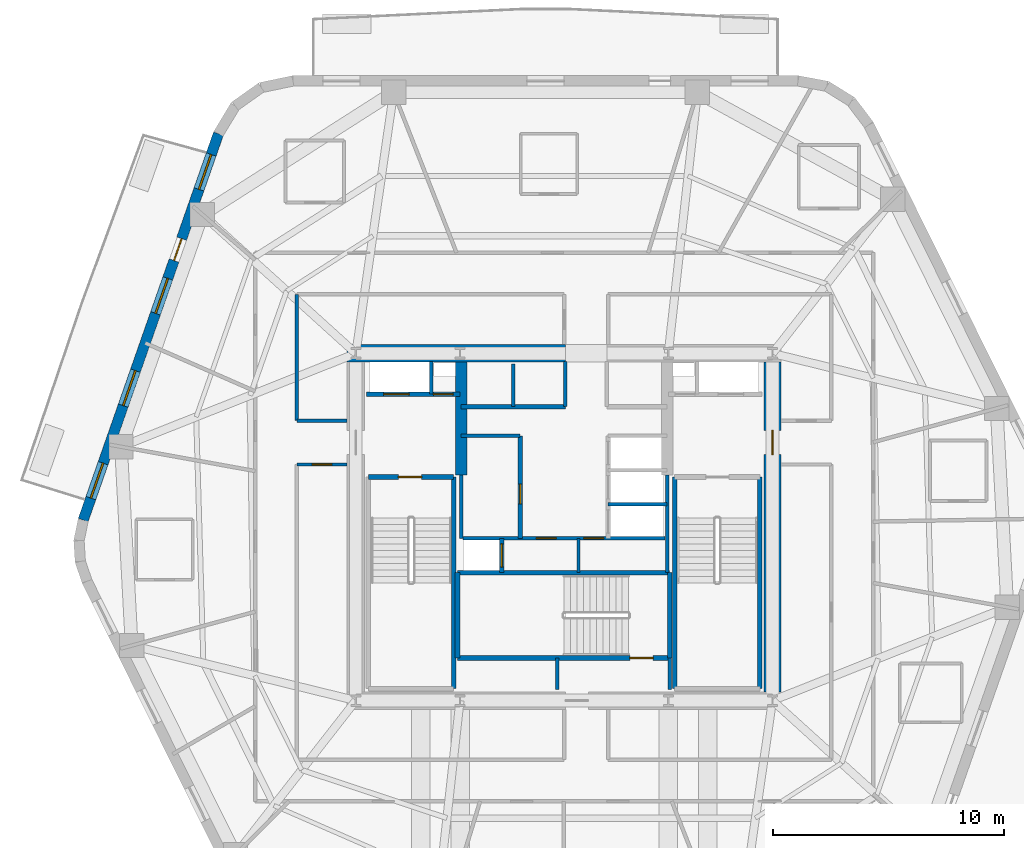
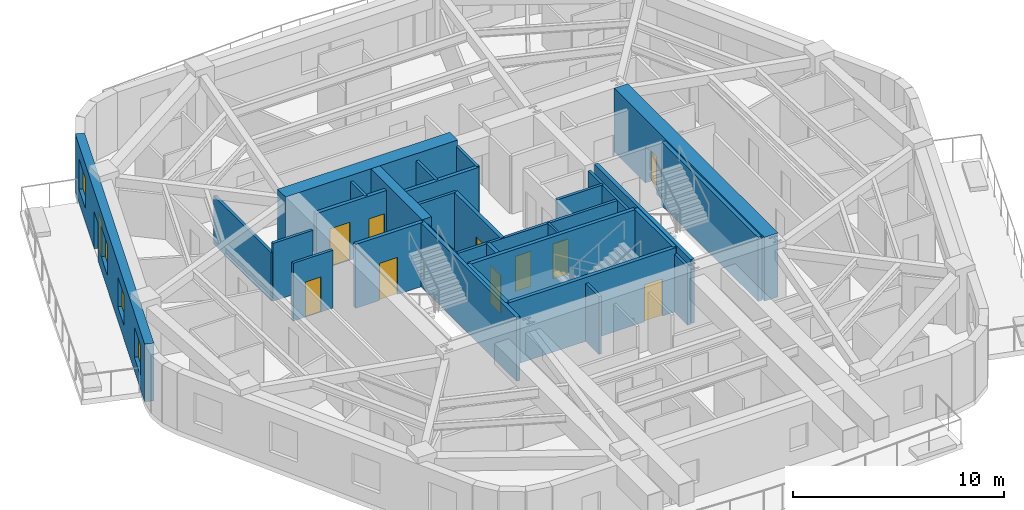
# One storey, part 4 of 11: 30 walls, 11 doors, 4 windows, 15 openings.
"""IFC4 building model written with IfcOpenShell, lengths in metres."""

from ifc_helpers import new_model, si_unit, direction, frame, frame_2d, origin, place, context, subcontext, project, spatial, rectangle, extrude, material, layer, layer_set, type_object, element, fill, save


model = new_model("IFC4")

# Units and contexts
model_context = context("Model", 3, precision=1e-05, world=origin(), true_north=direction((0.0, 1.0)))
body_context = subcontext(model_context, "Body", "Model", "MODEL_VIEW")
ifc_project = project(units=[si_unit("LENGTHUNIT", "METRE"), si_unit("AREAUNIT", "SQUARE_METRE"), si_unit("VOLUMEUNIT", "CUBIC_METRE"), si_unit("PLANEANGLEUNIT", "RADIAN"), si_unit("MASSUNIT", "GRAM", prefix="KILO")], contexts=[model_context])

# Site, building, storey
site_placement = place(None, origin())
site = spatial("IfcSite", under=ifc_project, at=site_placement, CompositionType="ELEMENT")
building_placement = place(site_placement, origin())
building = spatial("IfcBuilding", under=site, at=building_placement, Name="Kilnhurst Terrace Hotel", CompositionType="ELEMENT")
storey_placement = place(building_placement, frame((0.0, 0.0, 197.800048828125)))
storey = spatial("IfcBuildingStorey", under=building, at=storey_placement, Name="L49", CompositionType="ELEMENT", Elevation=197.800048828125)

# Wall, openings, door, windows
ifc_material_1 = material(Name="Precast concrete C40/50", Category="concrete")
ifc_layer_1 = layer(ifc_material_1, 0.449951171875, Name="Precast concrete C40/50")
ifc_layer_set_1 = layer_set([ifc_layer_1], Name="Precast concrete C40/50")
wall_type_1 = type_object("IfcWallType", Name="WL-BRK-450", PredefinedType="SOLIDWALL", material=ifc_layer_set_1)
wall_1_placement = place(storey_placement, frame((-14.936767578125, 16.993408203125, 0.0), z_axis=(0.0, 0.0, 1.0), x_axis=(-0.330431575061, -0.943829949834, 0.0)))
wall_1 = element("IfcWall", 1, at=wall_1_placement, inside=storey, type_object=wall_type_1, Name="L49 Exterior Brick Facade Wall F5", PredefinedType="SOLIDWALL", context=body_context, shape_type="SweptSolid", body=[
    extrude(rectangle(XDim=17.68896484375, YDim=0.449951171875, at=frame_2d((8.844482421875, 0.0))), origin(), (0.0, 0.0, 1.0), 3.349853515625),
])
opening_1_placement = place(wall_1_placement, frame((4.806884765625, 0.0, 0.0)))
opening_1 = element("IfcOpeningElement", 2, at=opening_1_placement, cuts=wall_1, Name="Opening BD-1000", PredefinedType="OPENING", context=body_context, shape_type="SweptSolid", body=[
    extrude(rectangle(XDim=1.0, YDim=2.14990234375, at=frame_2d((0.5, 1.074951171875))), frame((0.0, 0.23486328125, 0.0), z_axis=(0.0, -1.0, 0.0), x_axis=(1.0, 0.0, 0.0)), (0.0, 0.0, 1.0), 0.469970703125),
])
opening_2_placement = place(wall_1_placement, frame((0.949951171875, 0.0, 0.800048828125)))
opening_2 = element("IfcOpeningElement", 3, at=opening_2_placement, cuts=wall_1, Name="Opening W-05", PredefinedType="OPENING", context=body_context, shape_type="SweptSolid", body=[
    extrude(rectangle(XDim=1.60009765625, YDim=1.75, at=frame_2d((0.800048828125, 0.875))), frame((0.0, 0.23486328125, 0.0), z_axis=(0.0, -1.0, 0.0), x_axis=(1.0, 0.0, 0.0)), (0.0, 0.0, 1.0), 0.469970703125),
])
opening_3_placement = place(wall_1_placement, frame((6.623046875, 0.0, 0.800048828125)))
opening_3 = element("IfcOpeningElement", 4, at=opening_3_placement, cuts=wall_1, Name="Opening W-05", PredefinedType="OPENING", context=body_context, shape_type="SweptSolid", body=[
    extrude(rectangle(XDim=1.60009765625, YDim=1.75, at=frame_2d((0.800048828125, 0.875))), frame((0.0, 0.23486328125, 0.0), z_axis=(0.0, -1.0, 0.0), x_axis=(1.0, 0.0, 0.0)), (0.0, 0.0, 1.0), 0.469970703125),
])
opening_4_placement = place(wall_1_placement, frame((10.84912109375, 0.0, 0.800048828125)))
opening_4 = element("IfcOpeningElement", 5, at=opening_4_placement, cuts=wall_1, Name="Opening W-05", PredefinedType="OPENING", context=body_context, shape_type="SweptSolid", body=[
    extrude(rectangle(XDim=1.60009765625, YDim=1.75, at=frame_2d((0.800048828125, 0.875))), frame((0.0, 0.23486328125, 0.0), z_axis=(0.0, -1.0, 0.0), x_axis=(1.0, 0.0, 0.0)), (0.0, 0.0, 1.0), 0.469970703125),
])
opening_5_placement = place(wall_1_placement, frame((15.083984375, 0.0, 0.800048828125)))
opening_5 = element("IfcOpeningElement", 6, at=opening_5_placement, cuts=wall_1, Name="Opening W-05", PredefinedType="OPENING", context=body_context, shape_type="SweptSolid", body=[
    extrude(rectangle(XDim=1.60009765625, YDim=1.75, at=frame_2d((0.800048828125, 0.875))), frame((0.0, 0.23486328125, 0.0), z_axis=(0.0, -1.0, 0.0), x_axis=(1.0, 0.0, 0.0)), (0.0, 0.0, 1.0), 0.469970703125),
])
ifc_material_2 = material(Name="Thermally Broken Bronze Aluminium Alloy 6063-T6 and Laminated Glass", Category="aluminium")
door_type_1 = type_object("IfcDoorType", Name="DR-EXT-BAL-1000", OperationType="NOTDEFINED", PredefinedType="DOOR", material=ifc_material_2)
door_1_placement = place(opening_1_placement, origin())
door_1 = element("IfcDoor", 7, at=door_1_placement, inside=storey, type_object=door_type_1, Name="L49 Planted Balcony Door BAL-L2B", OperationType="SINGLE_SWING_LEFT", OverallHeight=2.14990234375, OverallWidth=1.0, PredefinedType="DOOR", context=body_context, shape_type="SweptSolid", body=[
    extrude(rectangle(XDim=1.0, YDim=2.14990234375, at=frame_2d((0.5, 1.074951171875))), frame((0.0, 0.02490234375, 0.0), z_axis=(0.0, -1.0, 0.0), x_axis=(1.0, 0.0, 0.0)), (0.0, 0.0, 1.0), 0.050048828125),
])
fill(opening_1, door_1)
ifc_material_3 = material(Name="Thermally Broken Bronze Aluminium Alloy 6063-T6 and Low-E Glass", Category="aluminium")
window_type = type_object("IfcWindowType", Name="WIN-1600X1750", PartitioningType="SINGLE_PANEL", PredefinedType="WINDOW", material=ifc_material_3)
window_1_placement = place(opening_2_placement, origin())
window_1 = element("IfcWindow", 8, at=window_1_placement, inside=storey, type_object=window_type, Name="L49 Deep-Set Masonry Window F5.1", OverallHeight=1.75, OverallWidth=1.60009765625, PartitioningType="SINGLE_PANEL", PredefinedType="WINDOW", context=body_context, shape_type="SweptSolid", body=[
    extrude(rectangle(XDim=1.60009765625, YDim=1.75, at=frame_2d((0.800048828125, 0.875))), frame((0.0, 0.030029296875, 0.0), z_axis=(0.0, -1.0, 0.0), x_axis=(1.0, 0.0, 0.0)), (0.0, 0.0, 1.0), 0.06005859375),
])
fill(opening_2, window_1)
window_2_placement = place(opening_3_placement, origin())
window_2 = element("IfcWindow", 9, at=window_2_placement, inside=storey, type_object=window_type, Name="L49 Deep-Set Masonry Window F5.2", OverallHeight=1.75, OverallWidth=1.60009765625, PartitioningType="SINGLE_PANEL", PredefinedType="WINDOW", context=body_context, shape_type="SweptSolid", body=[
    extrude(rectangle(XDim=1.60009765625, YDim=1.75, at=frame_2d((0.800048828125, 0.875))), frame((0.0, 0.030029296875, 0.0), z_axis=(0.0, -1.0, 0.0), x_axis=(1.0, 0.0, 0.0)), (0.0, 0.0, 1.0), 0.06005859375),
])
fill(opening_3, window_2)
window_3_placement = place(opening_4_placement, origin())
window_3 = element("IfcWindow", 10, at=window_3_placement, inside=storey, type_object=window_type, Name="L49 Deep-Set Masonry Window F5.3", OverallHeight=1.75, OverallWidth=1.60009765625, PartitioningType="SINGLE_PANEL", PredefinedType="WINDOW", context=body_context, shape_type="SweptSolid", body=[
    extrude(rectangle(XDim=1.60009765625, YDim=1.75, at=frame_2d((0.800048828125, 0.875))), frame((0.0, 0.030029296875, 0.0), z_axis=(0.0, -1.0, 0.0), x_axis=(1.0, 0.0, 0.0)), (0.0, 0.0, 1.0), 0.06005859375),
])
fill(opening_4, window_3)
window_4_placement = place(opening_5_placement, origin())
window_4 = element("IfcWindow", 11, at=window_4_placement, inside=storey, type_object=window_type, Name="L49 Deep-Set Masonry Window F5.4", OverallHeight=1.75, OverallWidth=1.60009765625, PartitioningType="SINGLE_PANEL", PredefinedType="WINDOW", context=body_context, shape_type="SweptSolid", body=[
    extrude(rectangle(XDim=1.60009765625, YDim=1.75, at=frame_2d((0.800048828125, 0.875))), frame((0.0, 0.030029296875, 0.0), z_axis=(0.0, -1.0, 0.0), x_axis=(1.0, 0.0, 0.0)), (0.0, 0.0, 1.0), 0.06005859375),
])
fill(opening_5, window_4)

# Walls
ifc_material_4 = material(Name="Acoustic Double-Gypsum Corridor Partition Assembly")
ifc_layer_2 = layer(ifc_material_4, 0.14990234375, Name="Acoustic Double-Gypsum Corridor Partition Assembly")
ifc_layer_set_2 = layer_set([ifc_layer_2], Name="Acoustic Double-Gypsum Corridor Partition Assembly")
wall_type_2 = type_object("IfcWallType", Name="WL-COR-150", PredefinedType="PARTITIONING", material=ifc_layer_set_2)
wall_2_placement = place(storey_placement, frame((-11.550048828125, 10.050048828125, 0.0), z_axis=(0.0, 0.0, 1.0), x_axis=(0.0, -1.0, 0.0)))
element("IfcWall", 12, at=wall_2_placement, inside=storey, type_object=wall_type_2, Name="L49 Interior Wall WL-L49-COR-13", PredefinedType="PARTITIONING", context=body_context, shape_type="SweptSolid", body=[
    extrude(rectangle(XDim=5.449951171875, YDim=0.14990234375, at=frame_2d((2.72509765625, 0.0))), origin(), (0.0, 0.0, 1.0), 2.7900390625),
])
wall_3_placement = place(storey_placement, frame((-11.550048828125, 4.60009765625, 0.0), z_axis=(0.0, 0.0, 1.0), x_axis=(1.0, 0.0, 0.0)))
element("IfcWall", 13, at=wall_3_placement, inside=storey, type_object=wall_type_2, Name="L49 Interior Wall WL-L49-COR-14", PredefinedType="PARTITIONING", context=body_context, shape_type="SweptSolid", body=[
    extrude(rectangle(XDim=2.175048828125, YDim=0.14990234375, at=frame_2d((1.08740234375, 0.0))), origin(), (0.0, 0.0, 1.0), 3.349853515625),
])

# Wall, opening, door
wall_4_placement = place(storey_placement, frame((-9.375, 2.699951171875, 0.0), z_axis=(0.0, 0.0, 1.0), x_axis=(-1.0, 0.0, 0.0)))
wall_4 = element("IfcWall", 14, at=wall_4_placement, inside=storey, type_object=wall_type_2, Name="L49 Interior Wall WL-L49-COR-15", PredefinedType="PARTITIONING", context=body_context, shape_type="SweptSolid", body=[
    extrude(rectangle(XDim=2.175048828125, YDim=0.14990234375, at=frame_2d((1.08740234375, 0.0))), origin(), (0.0, 0.0, 1.0), 3.349853515625),
])
opening_6_placement = place(wall_4_placement, frame((0.6630859375, 0.0, 0.0)))
opening_6 = element("IfcOpeningElement", 15, at=opening_6_placement, cuts=wall_4, Name="Opening D-60D", PredefinedType="OPENING", context=body_context, shape_type="SweptSolid", body=[
    extrude(rectangle(XDim=0.85009765625, YDim=2.030029296875, at=frame_2d((0.425048828125, 1.01513671875))), frame((0.0, 0.0849609375, 0.0), z_axis=(0.0, -1.0, 0.0), x_axis=(1.0, 0.0, 0.0)), (0.0, 0.0, 1.0), 0.169921875),
])
ifc_material_5 = material(Name="Painted Hollow Metal Steel ASTM A36 Riser Door", Category="steel")
door_type_2 = type_object("IfcDoorType", Name="DR-FD60-850", OperationType="NOTDEFINED", PredefinedType="DOOR", material=ifc_material_5)
door_2_placement = place(opening_6_placement, origin())
door_2 = element("IfcDoor", 16, at=door_2_placement, inside=storey, type_object=door_type_2, Name="L49 Floor Linen Storage Room Door", OperationType="SINGLE_SWING_LEFT", OverallHeight=2.030029296875, OverallWidth=0.85009765625, PredefinedType="DOOR", context=body_context, shape_type="SweptSolid", body=[
    extrude(rectangle(XDim=0.85009765625, YDim=2.030029296875, at=frame_2d((0.425048828125, 1.01513671875))), frame((0.0, 0.02490234375, 0.0), z_axis=(0.0, -1.0, 0.0), x_axis=(1.0, 0.0, 0.0)), (0.0, 0.0, 1.0), 0.050048828125),
])
fill(opening_6, door_2)

# Wall
ifc_material_6 = material(Name="Concrete C60/75", Category="concrete")
ifc_layer_3 = layer(ifc_material_6, 0.75, Name="Concrete C60/75")
ifc_layer_set_3 = layer_set([ifc_layer_3], Name="Concrete C60/75")
wall_type_3 = type_object("IfcWallType", Name="WL-CORE-750", PredefinedType="SHEAR", material=ifc_layer_set_3)
wall_5_placement = place(storey_placement, frame((-9.375, 7.5, 0.0), z_axis=(0.0, 0.0, 1.0), x_axis=(1.0, 0.0, 0.0)))
element("IfcWall", 17, at=wall_5_placement, inside=storey, type_object=wall_type_3, Name="L49 Core North West Shear Wall", PredefinedType="SHEAR", context=body_context, shape_type="SweptSolid", body=[
    extrude(rectangle(XDim=9.425048828125, YDim=0.75, at=frame_2d((4.71240234375, 0.0))), origin(), (0.0, 0.0, 1.0), 3.699951171875),
])

# Wall, opening, door
wall_6_placement = place(storey_placement, frame((9.0, -7.125, 0.0), z_axis=(0.0, 0.0, 1.0), x_axis=(0.0, 1.0, 0.0)))
wall_6 = element("IfcWall", 18, at=wall_6_placement, inside=storey, type_object=wall_type_3, Name="L49 Core East Shear Wall", PredefinedType="SHEAR", context=body_context, shape_type="SweptSolid", body=[
    extrude(rectangle(XDim=14.25, YDim=0.75, at=frame_2d((7.125, 0.0))), origin(), (0.0, 0.0, 1.0), 3.699951171875),
])
opening_7_placement = place(wall_6_placement, frame((10.25, 0.0, 0.0)))
opening_7 = element("IfcOpeningElement", 19, at=opening_7_placement, cuts=wall_6, Name="Opening D-90A", PredefinedType="OPENING", context=body_context, shape_type="SweptSolid", body=[
    extrude(rectangle(XDim=1.050048828125, YDim=2.14990234375, at=frame_2d((0.52490234375, 1.074951171875))), frame((0.0, 0.385009765625, 0.0), z_axis=(0.0, -1.0, 0.0), x_axis=(1.0, 0.0, 0.0)), (0.0, 0.0, 1.0), 0.77001953125),
])
ifc_material_7 = material(Name="Painted Hollow Metal Steel ASTM A36 Fire Door", Category="steel")
door_type_3 = type_object("IfcDoorType", Name="DR-FD90-1050", OperationType="NOTDEFINED", PredefinedType="DOOR", material=ifc_material_7)
door_3_placement = place(opening_7_placement, origin())
door_3 = element("IfcDoor", 20, at=door_3_placement, inside=storey, type_object=door_type_3, Name="L49 East Firefighting Lobby Door", OperationType="SINGLE_SWING_LEFT", OverallHeight=2.14990234375, OverallWidth=1.050048828125, PredefinedType="DOOR", context=body_context, shape_type="SweptSolid", body=[
    extrude(rectangle(XDim=1.050048828125, YDim=2.14990234375, at=frame_2d((0.52490234375, 1.074951171875))), frame((0.0, 0.02490234375, 0.0), z_axis=(0.0, -1.0, 0.0), x_axis=(1.0, 0.0, 0.0)), (0.0, 0.0, 1.0), 0.050048828125),
])
fill(opening_7, door_3)

# Walls
ifc_layer_4 = layer(ifc_material_6, 0.5, Name="Concrete C60/75")
ifc_layer_set_4 = layer_set([ifc_layer_4], Name="Concrete C60/75")
wall_type_4 = type_object("IfcWallType", Name="WL-CORE-WEB-500", PredefinedType="SHEAR", material=ifc_layer_set_4)
wall_7_placement = place(storey_placement, frame((-4.449951171875, 2.25, 0.0), z_axis=(0.0, 0.0, 1.0), x_axis=(0.0, 1.0, 0.0)))
element("IfcWall", 21, at=wall_7_placement, inside=storey, type_object=wall_type_4, Name="L49 Core Internal West Shear Web", PredefinedType="SHEAR", context=body_context, shape_type="SweptSolid", body=[
    extrude(rectangle(XDim=4.875, YDim=0.5, at=frame_2d((2.4375, 0.0))), origin(), (0.0, 0.0, 1.0), 3.699951171875),
])
ifc_material_8 = material(Name="120 mm Moisture-Resistant Tile-Backed Bathroom Partition")
ifc_layer_5 = layer(ifc_material_8, 0.1201171875, Name="120 mm Moisture-Resistant Tile-Backed Bathroom Partition")
ifc_layer_set_5 = layer_set([ifc_layer_5], Name="120 mm Moisture-Resistant Tile-Backed Bathroom Partition")
wall_type_5 = type_object("IfcWallType", Name="WL-PART-120", PredefinedType="PARTITIONING", material=ifc_layer_set_5)
wall_8_placement = place(storey_placement, frame((0.6201171875, -1.971923828125, 0.0), z_axis=(0.0, 0.0, 1.0), x_axis=(0.0, 1.0, 0.0)))
element("IfcWall", 22, at=wall_8_placement, inside=storey, type_object=wall_type_5, Name="L49 Interior Wall WL-L49-BOH-C1", PredefinedType="PARTITIONING", context=body_context, shape_type="SweptSolid", body=[
    extrude(rectangle(XDim=1.471923828125, YDim=0.1201171875, at=frame_2d((0.73583984375, 0.0))), origin(), (0.0, 0.0, 1.0), 3.349853515625),
])
ifc_material_9 = material(Name="Fire-Rated Gypsum Shaftliner Assembly")
ifc_layer_6 = layer(ifc_material_9, 0.14990234375, Name="Fire-Rated Gypsum Shaftliner Assembly")
ifc_layer_set_6 = layer_set([ifc_layer_6], Name="Fire-Rated Gypsum Shaftliner Assembly")
wall_type_6 = type_object("IfcWallType", Name="WL-SHAFT-150", PredefinedType="PARTITIONING", material=ifc_layer_set_6)
for number, where, z_axis, x_axis, name in (
    (23, (-0.300048828125, -7.02001953125, 0.0), (0.0, 0.0, 1.0), (0.0, 1.0, 0.0), "L49 Interior Wall WL-L49-ST3-PSGW"),
    (24, (4.55810546875, -7.02001953125, 0.0), (0.0, 0.0, 1.0), (0.0, 1.0, 0.0), "L49 Interior Wall WL-L49-ST3-PSGE"),
):
    element("IfcWall", number, at=place(storey_placement, frame(where, z_axis=z_axis, x_axis=x_axis)), inside=storey, type_object=wall_type_6, Name=name, PredefinedType="PARTITIONING", context=body_context, shape_type="SweptSolid", body=[
        extrude(rectangle(XDim=1.362060546875, YDim=0.14990234375, at=frame_2d((0.68115234375, 0.0))), origin(), (0.0, 0.0, 1.0), 3.349853515625),
    ])
wall_9_placement = place(storey_placement, frame((-5.75, 5.739990234375, 0.0), z_axis=(0.0, 0.0, 1.0), x_axis=(0.0, 1.0, 0.0)))
element("IfcWall", 25, at=wall_9_placement, inside=storey, type_object=wall_type_6, Name="L49 Interior Wall WL-L49-RIS1-DIV", PredefinedType="PARTITIONING", context=body_context, shape_type="SweptSolid", body=[
    extrude(rectangle(XDim=1.409912109375, YDim=0.14990234375, at=frame_2d((0.705078125, 0.0))), origin(), (0.0, 0.0, 1.0), 3.349853515625),
])
wall_10_placement = place(storey_placement, frame((-2.199951171875, 5.199951171875, 0.0), z_axis=(0.0, 0.0, 1.0), x_axis=(0.0, 1.0, 0.0)))
element("IfcWall", 26, at=wall_10_placement, inside=storey, type_object=wall_type_6, Name="L49 Interior Wall WL-L49-HR-DIV1", PredefinedType="PARTITIONING", context=body_context, shape_type="SweptSolid", body=[
    extrude(rectangle(XDim=1.85009765625, YDim=0.14990234375, at=frame_2d((0.925048828125, 0.0))), origin(), (0.0, 0.0, 1.0), 3.349853515625),
])
wall_11_placement = place(storey_placement, frame((0.050048828125, 5.199951171875, 0.0), z_axis=(0.0, 0.0, 1.0), x_axis=(0.0, 1.0, 0.0)))
element("IfcWall", 27, at=wall_11_placement, inside=storey, type_object=wall_type_6, Name="L49 Interior Wall WL-L49-HR-PORTAL-W", PredefinedType="PARTITIONING", context=body_context, shape_type="SweptSolid", body=[
    extrude(rectangle(XDim=1.949951171875, YDim=0.14990234375, at=frame_2d((0.97509765625, 0.0))), origin(), (0.0, 0.0, 1.0), 3.349853515625),
])
wall_12_placement = place(storey_placement, frame((-4.449951171875, -0.5, 0.0), z_axis=(0.0, 0.0, 1.0), x_axis=(0.0, 1.0, 0.0)))
element("IfcWall", 28, at=wall_12_placement, inside=storey, type_object=wall_type_6, Name="L49 Interior Wall WL-L49-XLOB-W", PredefinedType="PARTITIONING", context=body_context, shape_type="SweptSolid", body=[
    extrude(rectangle(XDim=2.75, YDim=0.14990234375, at=frame_2d((1.375, 0.0))), origin(), (0.0, 0.0, 1.0), 3.349853515625),
])
wall_13_placement = place(storey_placement, frame((4.449951171875, -1.971923828125, 0.0), z_axis=(0.0, 0.0, 1.0), x_axis=(0.0, 1.0, 0.0)))
element("IfcWall", 29, at=wall_13_placement, inside=storey, type_object=wall_type_6, Name="L49 Interior Wall WL-L49-XLOB-E", PredefinedType="PARTITIONING", context=body_context, shape_type="SweptSolid", body=[
    extrude(rectangle(XDim=4.221923828125, YDim=0.14990234375, at=frame_2d((2.11083984375, 0.0))), origin(), (0.0, 0.0, 1.0), 3.349853515625),
])
for number, where, z_axis, x_axis, name in (
    (30, (-4.449951171875, 3.93994140625, 0.0), (0.0, 0.0, 1.0), (1.0, 0.0, 0.0), "L49 Interior Wall WL-L49-LR-NORTH"),
    (31, (1.89990234375, 0.97998046875, 0.0), (0.0, 0.0, 1.0), (1.0, 0.0, 0.0), "L49 Interior Wall WL-L49-MR-D1"),
):
    element("IfcWall", number, at=place(storey_placement, frame(where, z_axis=z_axis, x_axis=x_axis)), inside=storey, type_object=wall_type_6, Name=name, PredefinedType="PARTITIONING", context=body_context, shape_type="SweptSolid", body=[
        extrude(rectangle(XDim=2.550048828125, YDim=0.14990234375, at=frame_2d((1.27490234375, 0.0))), origin(), (0.0, 0.0, 1.0), 3.349853515625),
    ])

# Wall, openings, doors
wall_14_placement = place(storey_placement, frame((-4.360107421875, -0.489990234375, 0.0), z_axis=(0.0, 0.0, 1.0), x_axis=(1.0, 0.0, 0.0)))
wall_14 = element("IfcWall", 32, at=wall_14_placement, inside=storey, type_object=wall_type_6, Name="L49 Interior Wall WL-L49-BOH-N", PredefinedType="PARTITIONING", context=body_context, shape_type="SweptSolid", body=[
    extrude(rectangle(XDim=8.72021484375, YDim=0.14990234375, at=frame_2d((4.360107421875, 0.0))), origin(), (0.0, 0.0, 1.0), 3.349853515625),
])
opening_8_placement = place(wall_14_placement, frame((3.159912109375, 0.0, 0.0)))
opening_8 = element("IfcOpeningElement", 33, at=opening_8_placement, cuts=wall_14, Name="Opening D-60D", PredefinedType="OPENING", context=body_context, shape_type="SweptSolid", body=[
    extrude(rectangle(XDim=0.85009765625, YDim=2.030029296875, at=frame_2d((0.425048828125, 1.01513671875))), frame((0.0, 0.0849609375, 0.0), z_axis=(0.0, -1.0, 0.0), x_axis=(1.0, 0.0, 0.0)), (0.0, 0.0, 1.0), 0.169921875),
])
opening_9_placement = place(wall_14_placement, frame((5.2099609375, 0.0, 0.0)))
opening_9 = element("IfcOpeningElement", 34, at=opening_9_placement, cuts=wall_14, Name="Opening D-60D", PredefinedType="OPENING", context=body_context, shape_type="SweptSolid", body=[
    extrude(rectangle(XDim=0.85009765625, YDim=2.030029296875, at=frame_2d((0.425048828125, 1.01513671875))), frame((0.0, 0.0849609375, 0.0), z_axis=(0.0, -1.0, 0.0), x_axis=(1.0, 0.0, 0.0)), (0.0, 0.0, 1.0), 0.169921875),
])
door_4_placement = place(opening_8_placement, origin())
door_4 = element("IfcDoor", 35, at=door_4_placement, inside=storey, type_object=door_type_2, Name="L49 Housekeeping Laundry Door", OperationType="SINGLE_SWING_LEFT", OverallHeight=2.030029296875, OverallWidth=0.85009765625, PredefinedType="DOOR", context=body_context, shape_type="SweptSolid", body=[
    extrude(rectangle(XDim=0.85009765625, YDim=2.030029296875, at=frame_2d((0.425048828125, 1.01513671875))), frame((0.0, 0.02490234375, 0.0), z_axis=(0.0, -1.0, 0.0), x_axis=(1.0, 0.0, 0.0)), (0.0, 0.0, 1.0), 0.050048828125),
])
fill(opening_8, door_4)
door_5_placement = place(opening_9_placement, origin())
door_5 = element("IfcDoor", 36, at=door_5_placement, inside=storey, type_object=door_type_2, Name="L49 Room Service Kitchen Door", OperationType="SINGLE_SWING_RIGHT", OverallHeight=2.030029296875, OverallWidth=0.85009765625, PredefinedType="DOOR", context=body_context, shape_type="SweptSolid", body=[
    extrude(rectangle(XDim=0.85009765625, YDim=2.030029296875, at=frame_2d((0.425048828125, 1.01513671875))), frame((0.0, 0.02490234375, 0.0), z_axis=(0.0, -1.0, 0.0), x_axis=(1.0, 0.0, 0.0)), (0.0, 0.0, 1.0), 0.050048828125),
])
fill(opening_9, door_5)

ifc_material_10 = material(Name="Autoclaved Aerated Concrete C30/37 and Gypsum Shaft Assembly", Category="concrete")
ifc_layer_7 = layer(ifc_material_10, 0.199951171875, Name="Autoclaved Aerated Concrete C30/37 and Gypsum Shaft Assembly")
ifc_layer_set_7 = layer_set([ifc_layer_7], Name="Autoclaved Aerated Concrete C30/37 and Gypsum Shaft Assembly")
wall_type_7 = type_object("IfcWallType", Name="WL-SHAFT-200", PredefinedType="PARTITIONING", material=ifc_layer_set_7)
wall_15_placement = place(storey_placement, frame((-8.550048828125, 5.739990234375, 0.0), z_axis=(0.0, 0.0, 1.0), x_axis=(1.0, 0.0, 0.0)))
wall_15 = element("IfcWall", 37, at=wall_15_placement, inside=storey, type_object=wall_type_7, Name="L49 Interior Wall WL-L49-FSAE1-S", PredefinedType="PARTITIONING", context=body_context, shape_type="SweptSolid", body=[
    extrude(rectangle(XDim=4.050048828125, YDim=0.199951171875, at=frame_2d((2.02490234375, 0.0))), origin(), (0.0, 0.0, 1.0), 3.349853515625),
])
opening_10_placement = place(wall_15_placement, frame((0.75, 0.0, 0.0)))
opening_10 = element("IfcOpeningElement", 38, at=opening_10_placement, cuts=wall_15, Name="Opening LD-F1", PredefinedType="OPENING", context=body_context, shape_type="SweptSolid", body=[
    extrude(rectangle(XDim=1.10009765625, YDim=2.199951171875, at=frame_2d((0.550048828125, 1.10009765625))), frame((0.0, 0.10986328125, 0.0), z_axis=(0.0, -1.0, 0.0), x_axis=(1.0, 0.0, 0.0)), (0.0, 0.0, 1.0), 0.219970703125),
])
opening_11_placement = place(wall_15_placement, frame((2.89990234375, 0.0, 0.0)))
opening_11 = element("IfcOpeningElement", 39, at=opening_11_placement, cuts=wall_15, Name="Opening D-60D", PredefinedType="OPENING", context=body_context, shape_type="SweptSolid", body=[
    extrude(rectangle(XDim=0.85009765625, YDim=2.030029296875, at=frame_2d((0.425048828125, 1.01513671875))), frame((0.0, 0.10986328125, 0.0), z_axis=(0.0, -1.0, 0.0), x_axis=(1.0, 0.0, 0.0)), (0.0, 0.0, 1.0), 0.219970703125),
])
door_6_placement = place(opening_11_placement, origin())
door_6 = element("IfcDoor", 40, at=door_6_placement, inside=storey, type_object=door_type_2, Name="L49 Electrical Riser Door", OperationType="SINGLE_SWING_LEFT", OverallHeight=2.030029296875, OverallWidth=0.85009765625, PredefinedType="DOOR", context=body_context, shape_type="SweptSolid", body=[
    extrude(rectangle(XDim=0.85009765625, YDim=2.030029296875, at=frame_2d((0.425048828125, 1.01513671875))), frame((0.0, 0.02490234375, 0.0), z_axis=(0.0, -1.0, 0.0), x_axis=(1.0, 0.0, 0.0)), (0.0, 0.0, 1.0), 0.050048828125),
])
fill(opening_11, door_6)
ifc_material_11 = material(Name="Bronze-Anodized Stainless Steel AISI 316L Sliding Door", Category="steel")
door_type_4 = type_object("IfcDoorType", Name="DR-LIFT-1100", OperationType="NOTDEFINED", PredefinedType="DOOR", material=ifc_material_11)
door_7_placement = place(opening_10_placement, origin())
door_7 = element("IfcDoor", 41, at=door_7_placement, inside=storey, type_object=door_type_4, Name="L49 FSAE-1 Landing Door", OperationType="SLIDING_TO_LEFT", OverallHeight=2.199951171875, OverallWidth=1.10009765625, PredefinedType="DOOR", context=body_context, shape_type="SweptSolid", body=[
    extrude(rectangle(XDim=1.10009765625, YDim=2.199951171875, at=frame_2d((0.550048828125, 1.10009765625))), frame((0.0, 0.02490234375, 0.0), z_axis=(0.0, -1.0, 0.0), x_axis=(1.0, 0.0, 0.0)), (0.0, 0.0, 1.0), 0.050048828125),
])
fill(opening_10, door_7)

# Wall, opening, door
wall_16_placement = place(storey_placement, frame((-2.699951171875, -1.971923828125, 0.0), z_axis=(0.0, 0.0, 1.0), x_axis=(0.0, 1.0, 0.0)))
wall_16 = element("IfcWall", 42, at=wall_16_placement, inside=storey, type_object=wall_type_7, Name="L49 Interior Wall WL-L49-SRV1-E", PredefinedType="PARTITIONING", context=body_context, shape_type="SweptSolid", body=[
    extrude(rectangle(XDim=1.471923828125, YDim=0.199951171875, at=frame_2d((0.73583984375, 0.0))), origin(), (0.0, 0.0, 1.0), 3.349853515625),
])
opening_12_placement = place(wall_16_placement, frame((0.239990234375, 0.0, 0.0)))
opening_12 = element("IfcOpeningElement", 43, at=opening_12_placement, cuts=wall_16, Name="Opening LD-SV", PredefinedType="OPENING", context=body_context, shape_type="SweptSolid", body=[
    extrude(rectangle(XDim=1.0, YDim=2.199951171875, at=frame_2d((0.5, 1.10009765625))), frame((0.0, 0.10986328125, 0.0), z_axis=(0.0, -1.0, 0.0), x_axis=(1.0, 0.0, 0.0)), (0.0, 0.0, 1.0), 0.219970703125),
])
door_type_5 = type_object("IfcDoorType", Name="DR-LIFT-1000", OperationType="NOTDEFINED", PredefinedType="DOOR", material=ifc_material_11)
door_8_placement = place(opening_12_placement, origin())
door_8 = element("IfcDoor", 44, at=door_8_placement, inside=storey, type_object=door_type_5, Name="L49 Service Lift SRV-1 Landing Door", OperationType="SLIDING_TO_LEFT", OverallHeight=2.199951171875, OverallWidth=1.0, PredefinedType="DOOR", context=body_context, shape_type="SweptSolid", body=[
    extrude(rectangle(XDim=1.0, YDim=2.199951171875, at=frame_2d((0.5, 1.10009765625))), frame((0.0, 0.02490234375, 0.0), z_axis=(0.0, -1.0, 0.0), x_axis=(1.0, 0.0, 0.0)), (0.0, 0.0, 1.0), 0.050048828125),
])
fill(opening_12, door_8)

# Wall
wall_17_placement = place(storey_placement, frame((-4.449951171875, 5.199951171875, 0.0), z_axis=(0.0, 0.0, 1.0), x_axis=(1.0, 0.0, 0.0)))
element("IfcWall", 45, at=wall_17_placement, inside=storey, type_object=wall_type_7, Name="L49 Interior Wall WL-L49-HR-SW", PredefinedType="PARTITIONING", context=body_context, shape_type="SweptSolid", body=[
    extrude(rectangle(XDim=4.5, YDim=0.199951171875, at=frame_2d((2.25, 0.0))), origin(), (0.0, 0.0, 1.0), 3.349853515625),
])

# Wall, opening, door
wall_18_placement = place(storey_placement, frame((-1.89990234375, -0.5, 0.0), z_axis=(0.0, 0.0, 1.0), x_axis=(0.0, 1.0, 0.0)))
wall_18 = element("IfcWall", 46, at=wall_18_placement, inside=storey, type_object=wall_type_7, Name="L49 Interior Wall WL-L49-LR-FRONT", PredefinedType="PARTITIONING", context=body_context, shape_type="SweptSolid", body=[
    extrude(rectangle(XDim=4.43994140625, YDim=0.199951171875, at=frame_2d((2.219970703125, 0.0))), origin(), (0.0, 0.0, 1.0), 3.349853515625),
])
opening_13_placement = place(wall_18_placement, frame((1.5, 0.0, 0.0)))
opening_13 = element("IfcOpeningElement", 47, at=opening_13_placement, cuts=wall_18, Name="Opening D-60D", PredefinedType="OPENING", context=body_context, shape_type="SweptSolid", body=[
    extrude(rectangle(XDim=0.85009765625, YDim=2.030029296875, at=frame_2d((0.425048828125, 1.01513671875))), frame((0.0, 0.10986328125, 0.0), z_axis=(0.0, -1.0, 0.0), x_axis=(1.0, 0.0, 0.0)), (0.0, 0.0, 1.0), 0.219970703125),
])
door_9_placement = place(opening_13_placement, origin())
door_9 = element("IfcDoor", 48, at=door_9_placement, inside=storey, type_object=door_type_2, Name="L49 Reclaimed Linen Room Door", OperationType="SINGLE_SWING_LEFT", OverallHeight=2.030029296875, OverallWidth=0.85009765625, PredefinedType="DOOR", context=body_context, shape_type="SweptSolid", body=[
    extrude(rectangle(XDim=0.85009765625, YDim=2.030029296875, at=frame_2d((0.425048828125, 1.01513671875))), frame((0.0, 0.02490234375, 0.0), z_axis=(0.0, -1.0, 0.0), x_axis=(1.0, 0.0, 0.0)), (0.0, 0.0, 1.0), 0.050048828125),
])
fill(opening_13, door_9)

# Wall
ifc_material_12 = material(Name="Concrete C50/60", Category="concrete")
ifc_layer_8 = layer(ifc_material_12, 0.199951171875, Name="Concrete C50/60")
ifc_layer_set_8 = layer_set([ifc_layer_8], Name="Concrete C50/60")
wall_type_8 = type_object("IfcWallType", Name="WL-STAIR-RC-200", PredefinedType="SHEAR", material=ifc_layer_set_8)
wall_19_placement = place(storey_placement, frame((-4.77197265625, -6.985107421875, 0.0), z_axis=(0.0, 0.0, 1.0), x_axis=(0.0, 1.0, 0.0)))
element("IfcWall", 49, at=wall_19_placement, inside=storey, type_object=wall_type_8, Name="L49 Structural Stair Shaft Wall WL-L49-ST1-E", PredefinedType="SHEAR", context=body_context, shape_type="SweptSolid", body=[
    extrude(rectangle(XDim=9.14306640625, YDim=0.199951171875, at=frame_2d((4.571533203125, 0.0))), origin(), (0.0, 0.0, 1.0), 3.699951171875),
])

# Wall, opening, door
wall_20_placement = place(storey_placement, frame((-8.4580078125, 2.157958984375, 0.0), z_axis=(0.0, 0.0, 1.0), x_axis=(1.0, 0.0, 0.0)))
wall_20 = element("IfcWall", 50, at=wall_20_placement, inside=storey, type_object=wall_type_8, Name="L49 Structural Stair Shaft Wall WL-L49-ST1-N", PredefinedType="SHEAR", context=body_context, shape_type="SweptSolid", body=[
    extrude(rectangle(XDim=3.68603515625, YDim=0.199951171875, at=frame_2d((1.843017578125, 0.0))), origin(), (0.0, 0.0, 1.0), 3.699951171875),
])
opening_14_placement = place(wall_20_placement, frame((1.300048828125, 0.0, 0.0)))
opening_14 = element("IfcOpeningElement", 51, at=opening_14_placement, cuts=wall_20, Name="Opening D-90B", PredefinedType="OPENING", context=body_context, shape_type="SweptSolid", body=[
    extrude(rectangle(XDim=1.0, YDim=2.14990234375, at=frame_2d((0.5, 1.074951171875))), frame((0.0, 0.10986328125, 0.0), z_axis=(0.0, -1.0, 0.0), x_axis=(1.0, 0.0, 0.0)), (0.0, 0.0, 1.0), 0.219970703125),
])
door_type_6 = type_object("IfcDoorType", Name="DR-FD90-1000", OperationType="NOTDEFINED", PredefinedType="DOOR", material=ifc_material_7)
door_10_placement = place(opening_14_placement, origin())
door_10 = element("IfcDoor", 52, at=door_10_placement, inside=storey, type_object=door_type_6, Name="L49 Stair ST-1 Door", OperationType="SINGLE_SWING_LEFT", OverallHeight=2.14990234375, OverallWidth=1.0, PredefinedType="DOOR", context=body_context, shape_type="SweptSolid", body=[
    extrude(rectangle(XDim=1.0, YDim=2.14990234375, at=frame_2d((0.5, 1.074951171875))), frame((0.0, 0.02490234375, 0.0), z_axis=(0.0, -1.0, 0.0), x_axis=(1.0, 0.0, 0.0)), (0.0, 0.0, 1.0), 0.050048828125),
])
fill(opening_14, door_10)

# Walls
for number, where, z_axis, x_axis, name in (
    (53, (4.77197265625, -6.985107421875, 0.0), (0.0, 0.0, 1.0), (0.0, 1.0, 0.0), "L49 Structural Stair Shaft Wall WL-L49-ST2-W"),
    (54, (8.4580078125, -6.985107421875, 0.0), (0.0, 0.0, 1.0), (0.0, 1.0, 0.0), "L49 Structural Stair Shaft Wall WL-L49-ST2-E"),
):
    element("IfcWall", number, at=place(storey_placement, frame(where, z_axis=z_axis, x_axis=x_axis)), inside=storey, type_object=wall_type_8, Name=name, PredefinedType="SHEAR", context=body_context, shape_type="SweptSolid", body=[
        extrude(rectangle(XDim=9.14306640625, YDim=0.199951171875, at=frame_2d((4.571533203125, 0.0))), origin(), (0.0, 0.0, 1.0), 3.699951171875),
    ])
wall_21_placement = place(storey_placement, frame((-4.60791015625, -5.657958984375, 0.0), z_axis=(0.0, 0.0, 1.0), x_axis=(0.0, 1.0, 0.0)))
element("IfcWall", 55, at=wall_21_placement, inside=storey, type_object=wall_type_8, Name="L49 Structural Stair Shaft Wall WL-L49-ST3-W", PredefinedType="SHEAR", context=body_context, shape_type="SweptSolid", body=[
    extrude(rectangle(XDim=3.68603515625, YDim=0.199951171875, at=frame_2d((1.843017578125, 0.0))), origin(), (0.0, 0.0, 1.0), 3.699951171875),
])

# Wall, opening, door
wall_22_placement = place(storey_placement, frame((-4.60791015625, -5.657958984375, 0.0), z_axis=(0.0, 0.0, 1.0), x_axis=(1.0, 0.0, 0.0)))
wall_22 = element("IfcWall", 56, at=wall_22_placement, inside=storey, type_object=wall_type_8, Name="L49 Structural Stair Shaft Wall WL-L49-ST3-S", PredefinedType="SHEAR", context=body_context, shape_type="SweptSolid", body=[
    extrude(rectangle(XDim=9.166015625, YDim=0.199951171875, at=frame_2d((4.5830078125, 0.0))), origin(), (0.0, 0.0, 1.0), 3.699951171875),
])
opening_15_placement = place(wall_22_placement, frame((7.449951171875, 0.0, 0.0)))
opening_15 = element("IfcOpeningElement", 57, at=opening_15_placement, cuts=wall_22, Name="Opening D-90B", PredefinedType="OPENING", context=body_context, shape_type="SweptSolid", body=[
    extrude(rectangle(XDim=1.0, YDim=2.14990234375, at=frame_2d((0.5, 1.074951171875))), frame((0.0, 0.10986328125, 0.0), z_axis=(0.0, -1.0, 0.0), x_axis=(1.0, 0.0, 0.0)), (0.0, 0.0, 1.0), 0.219970703125),
])
door_11_placement = place(opening_15_placement, origin())
door_11 = element("IfcDoor", 58, at=door_11_placement, inside=storey, type_object=door_type_6, Name="L49 Stair ST-3 Shaft Door", OperationType="SINGLE_SWING_LEFT", OverallHeight=2.14990234375, OverallWidth=1.0, PredefinedType="DOOR", context=body_context, shape_type="SweptSolid", body=[
    extrude(rectangle(XDim=1.0, YDim=2.14990234375, at=frame_2d((0.5, 1.074951171875))), frame((0.0, 0.02490234375, 0.0), z_axis=(0.0, -1.0, 0.0), x_axis=(1.0, 0.0, 0.0)), (0.0, 0.0, 1.0), 0.050048828125),
])
fill(opening_15, door_11)

# Walls
wall_23_placement = place(storey_placement, frame((-4.60791015625, -1.971923828125, 0.0), z_axis=(0.0, 0.0, 1.0), x_axis=(1.0, 0.0, 0.0)))
element("IfcWall", 59, at=wall_23_placement, inside=storey, type_object=wall_type_8, Name="L49 Structural Stair Shaft Wall WL-L49-ST3-N", PredefinedType="SHEAR", context=body_context, shape_type="SweptSolid", body=[
    extrude(rectangle(XDim=9.166015625, YDim=0.199951171875, at=frame_2d((4.5830078125, 0.0))), origin(), (0.0, 0.0, 1.0), 3.699951171875),
])
wall_24_placement = place(storey_placement, frame((4.55810546875, -5.657958984375, 0.0), z_axis=(0.0, 0.0, 1.0), x_axis=(0.0, 1.0, 0.0)))
element("IfcWall", 60, at=wall_24_placement, inside=storey, type_object=wall_type_8, Name="L49 Structural Stair Shaft Wall WL-L49-ST3-E", PredefinedType="SHEAR", context=body_context, shape_type="SweptSolid", body=[
    extrude(rectangle(XDim=3.68603515625, YDim=0.199951171875, at=frame_2d((1.843017578125, 0.0))), origin(), (0.0, 0.0, 1.0), 3.699951171875),
])

save(model, "model.ifc")
